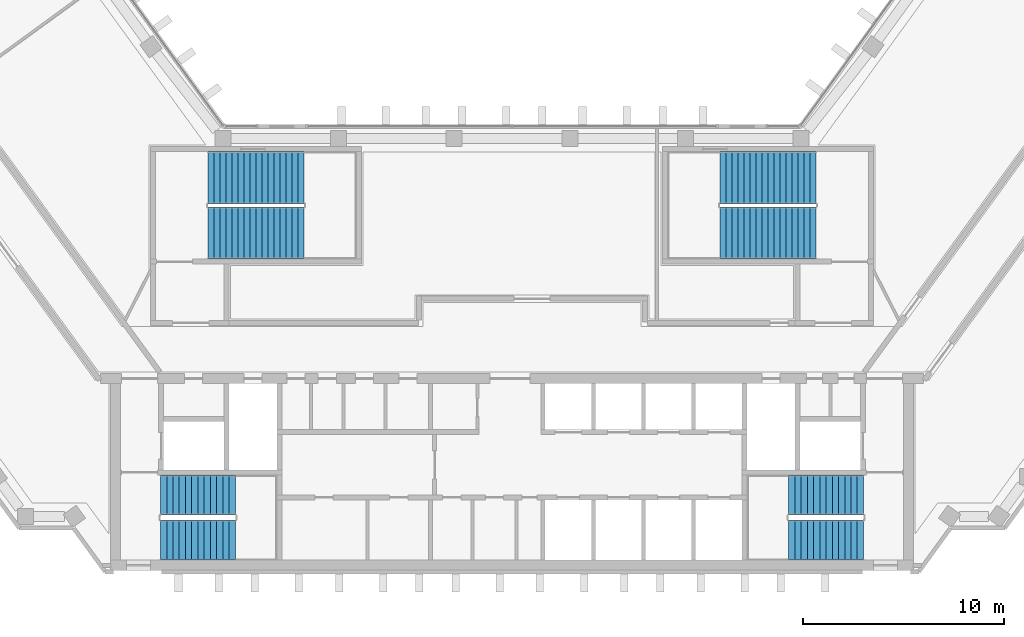
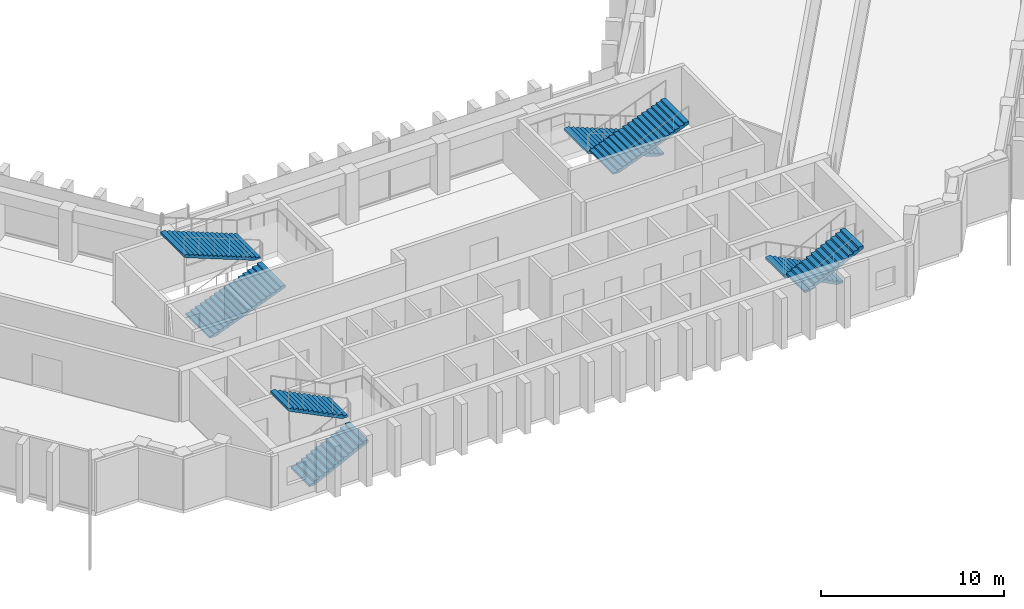
# One storey, part 11 of 13: 8 stair flights, 4 elements without a shape of their own.
"""IFC4 building model written with IfcOpenShell, lengths in metres."""

from ifc_helpers import new_model, si_unit, direction, frame, origin, place, context, subcontext, project, spatial, polyline, outline, extrude, material, type_object, element, aggregate, save


model = new_model("IFC4")

# Units and contexts
model_context = context("Model", 3, precision=1e-05, world=origin(), true_north=direction((0.0, 1.0)))
body_context = subcontext(model_context, "Body", "Model", "MODEL_VIEW")
ifc_project = project(units=[si_unit("LENGTHUNIT", "METRE"), si_unit("AREAUNIT", "SQUARE_METRE"), si_unit("VOLUMEUNIT", "CUBIC_METRE"), si_unit("PLANEANGLEUNIT", "RADIAN"), si_unit("MASSUNIT", "GRAM", prefix="KILO")], contexts=[model_context])

# Site, building, storey
site_placement = place(None, origin())
site = spatial("IfcSite", under=ifc_project, at=site_placement, CompositionType="ELEMENT")
building_placement = place(site_placement, origin())
building = spatial("IfcBuilding", under=site, at=building_placement, Name="Quipu Civic Tower", CompositionType="ELEMENT")
storey_placement = place(building_placement, frame((0.0, 0.0, 184.0)))
storey = spatial("IfcBuildingStorey", under=building, at=storey_placement, Name="L43", CompositionType="ELEMENT", Elevation=184.0)

# Stair, stair flights
ifc_material_1 = material(Name="Concrete C40/50", Category="concrete")
stair_type_1 = type_object("IfcStairType", Name="Half turn stair 2000", PredefinedType="HALF_TURN_STAIR", material=ifc_material_1)
stair_1_placement = place(storey_placement, origin())
stair_1 = element("IfcStair", 1, at=stair_1_placement, inside=storey, type_object=stair_type_1, Name="Exit stair 1", PredefinedType="HALF_TURN_STAIR")
ifc_material_2 = material(Name="Concrete C40/50", Category="concrete")
stair_flight_type_1 = type_object("IfcStairFlightType", Name="Stair flight 2000", PredefinedType="STRAIGHT", material=ifc_material_2)
stair_flight_1_placement = place(storey_placement, frame((-17.5, -9.5, 0.0), z_axis=(0.0, 0.0, 1.0), x_axis=(1.0, 0.0, 0.0)))
stair_flight_1 = element("IfcStairFlight", 2, at=stair_flight_1_placement, type_object=stair_flight_type_1, Name="ST-1 flight 1", NumberOfRisers=13, NumberOfTreads=12, PredefinedType="STRAIGHT", RiserHeight=0.153846154, TreadLength=0.31, context=body_context, shape_type="SweptSolid", body=[
    extrude(outline(polyline([(0.0, 0.0), (0.0, 0.15380859375), (0.31005859375, 0.15380859375), (0.31005859375, 0.3076171875), (0.6201171875, 0.3076171875), (0.6201171875, 0.46142578125), (0.929931640625, 0.46142578125), (0.929931640625, 0.615478515625), (1.239990234375, 0.615478515625), (1.239990234375, 0.769287109375), (1.550048828125, 0.769287109375), (1.550048828125, 0.923095703125), (1.860107421875, 0.923095703125), (1.860107421875, 1.076904296875), (2.169921875, 1.076904296875), (2.169921875, 1.230712890625), (2.47998046875, 1.230712890625), (2.47998046875, 1.384521484375), (2.7900390625, 1.384521484375), (2.7900390625, 1.53857421875), (3.10009765625, 1.53857421875), (3.10009765625, 1.6923828125), (3.409912109375, 1.6923828125), (3.409912109375, 1.84619140625), (3.719970703125, 1.84619140625), (3.719970703125, 2.0), (3.719970703125, 1.6787109375), (0.337158203125, 0.0), (0.0, 0.0)])), frame((0.0, 1.0, 0.0), z_axis=(0.0, -1.0, 0.0), x_axis=(1.0, 0.0, 0.0)), (0.0, 0.0, 1.0), 2.0),
])
stair_flight_2_placement = place(storey_placement, frame((-13.780029296875, -7.25, 2.0), z_axis=(0.0, 0.0, 1.0), x_axis=(-1.0, 0.0, 0.0)))
stair_flight_2 = element("IfcStairFlight", 3, at=stair_flight_2_placement, type_object=stair_flight_type_1, Name="ST-1 flight 2", NumberOfRisers=13, NumberOfTreads=12, PredefinedType="STRAIGHT", RiserHeight=0.153846154, TreadLength=0.31, context=body_context, shape_type="SweptSolid", body=[
    extrude(outline(polyline([(0.0, 0.0), (0.0, 0.15380859375), (0.31005859375, 0.15380859375), (0.31005859375, 0.3076171875), (0.6201171875, 0.3076171875), (0.6201171875, 0.46142578125), (0.929931640625, 0.46142578125), (0.929931640625, 0.615478515625), (1.239990234375, 0.615478515625), (1.239990234375, 0.769287109375), (1.550048828125, 0.769287109375), (1.550048828125, 0.923095703125), (1.860107421875, 0.923095703125), (1.860107421875, 1.076904296875), (2.169921875, 1.076904296875), (2.169921875, 1.230712890625), (2.47998046875, 1.230712890625), (2.47998046875, 1.384521484375), (2.7900390625, 1.384521484375), (2.7900390625, 1.53857421875), (3.10009765625, 1.53857421875), (3.10009765625, 1.6923828125), (3.409912109375, 1.6923828125), (3.409912109375, 1.84619140625), (3.719970703125, 1.84619140625), (3.719970703125, 2.0), (3.719970703125, 1.6787109375), (0.337158203125, 0.0), (0.0, 0.0)])), frame((0.0, 1.0, 0.0), z_axis=(0.0, -1.0, 0.0), x_axis=(1.0, 0.0, 0.0)), (0.0, 0.0, 1.0), 2.0),
])
aggregate(stair_1, [stair_flight_1, stair_flight_2])

stair_2_placement = place(storey_placement, origin())
stair_2 = element("IfcStair", 4, at=stair_2_placement, inside=storey, type_object=stair_type_1, Name="Exit stair 2", PredefinedType="HALF_TURN_STAIR")
stair_flight_3_placement = place(storey_placement, frame((17.5, -7.25, 0.0), z_axis=(0.0, 0.0, 1.0), x_axis=(-1.0, 0.0, 0.0)))
stair_flight_3 = element("IfcStairFlight", 5, at=stair_flight_3_placement, type_object=stair_flight_type_1, Name="ST-2 flight 1", NumberOfRisers=13, NumberOfTreads=12, PredefinedType="STRAIGHT", RiserHeight=0.153846154, TreadLength=0.31, context=body_context, shape_type="SweptSolid", body=[
    extrude(outline(polyline([(0.0, 0.0), (0.0, 0.15380859375), (0.31005859375, 0.15380859375), (0.31005859375, 0.3076171875), (0.6201171875, 0.3076171875), (0.6201171875, 0.46142578125), (0.929931640625, 0.46142578125), (0.929931640625, 0.615478515625), (1.239990234375, 0.615478515625), (1.239990234375, 0.769287109375), (1.550048828125, 0.769287109375), (1.550048828125, 0.923095703125), (1.860107421875, 0.923095703125), (1.860107421875, 1.076904296875), (2.169921875, 1.076904296875), (2.169921875, 1.230712890625), (2.47998046875, 1.230712890625), (2.47998046875, 1.384521484375), (2.7900390625, 1.384521484375), (2.7900390625, 1.53857421875), (3.10009765625, 1.53857421875), (3.10009765625, 1.6923828125), (3.409912109375, 1.6923828125), (3.409912109375, 1.84619140625), (3.719970703125, 1.84619140625), (3.719970703125, 2.0), (3.719970703125, 1.6787109375), (0.337158203125, 0.0), (0.0, 0.0)])), frame((0.0, 1.0, 0.0), z_axis=(0.0, -1.0, 0.0), x_axis=(1.0, 0.0, 0.0)), (0.0, 0.0, 1.0), 2.0),
])
stair_flight_4_placement = place(storey_placement, frame((13.780029296875, -9.5, 2.0), z_axis=(0.0, 0.0, 1.0), x_axis=(1.0, 0.0, 0.0)))
stair_flight_4 = element("IfcStairFlight", 6, at=stair_flight_4_placement, type_object=stair_flight_type_1, Name="ST-2 flight 2", NumberOfRisers=13, NumberOfTreads=12, PredefinedType="STRAIGHT", RiserHeight=0.153846154, TreadLength=0.31, context=body_context, shape_type="SweptSolid", body=[
    extrude(outline(polyline([(0.0, 0.0), (0.0, 0.15380859375), (0.31005859375, 0.15380859375), (0.31005859375, 0.3076171875), (0.6201171875, 0.3076171875), (0.6201171875, 0.46142578125), (0.929931640625, 0.46142578125), (0.929931640625, 0.615478515625), (1.239990234375, 0.615478515625), (1.239990234375, 0.769287109375), (1.550048828125, 0.769287109375), (1.550048828125, 0.923095703125), (1.860107421875, 0.923095703125), (1.860107421875, 1.076904296875), (2.169921875, 1.076904296875), (2.169921875, 1.230712890625), (2.47998046875, 1.230712890625), (2.47998046875, 1.384521484375), (2.7900390625, 1.384521484375), (2.7900390625, 1.53857421875), (3.10009765625, 1.53857421875), (3.10009765625, 1.6923828125), (3.409912109375, 1.6923828125), (3.409912109375, 1.84619140625), (3.719970703125, 1.84619140625), (3.719970703125, 2.0), (3.719970703125, 1.6787109375), (0.337158203125, 0.0), (0.0, 0.0)])), frame((0.0, 1.0, 0.0), z_axis=(0.0, -1.0, 0.0), x_axis=(1.0, 0.0, 0.0)), (0.0, 0.0, 1.0), 2.0),
])
aggregate(stair_2, [stair_flight_3, stair_flight_4])

ifc_material_3 = material(Name="Concrete C40/50", Category="concrete")
stair_type_2 = type_object("IfcStairType", Name="Half turn stair 2600", PredefinedType="HALF_TURN_STAIR", material=ifc_material_3)
stair_3_placement = place(storey_placement, origin())
stair_3 = element("IfcStair", 7, at=stair_3_placement, inside=storey, type_object=stair_type_2, Name="Exit stair 3", PredefinedType="HALF_TURN_STAIR")
ifc_material_4 = material(Name="Concrete C40/50", Category="concrete")
stair_flight_type_2 = type_object("IfcStairFlightType", Name="Stair flight 2600", PredefinedType="STRAIGHT", material=ifc_material_4)
stair_flight_5_placement = place(storey_placement, frame((-15.14990234375, 5.800048828125, 0.0), z_axis=(0.0, 0.0, 1.0), x_axis=(1.0, 0.0, 0.0)))
stair_flight_5 = element("IfcStairFlight", 8, at=stair_flight_5_placement, type_object=stair_flight_type_2, Name="ST-3 flight 1", NumberOfRisers=17, NumberOfTreads=16, PredefinedType="STRAIGHT", RiserHeight=0.117647059, TreadLength=0.3, context=body_context, shape_type="SweptSolid", body=[
    extrude(outline(polyline([(0.0, 0.0), (0.0, 0.11767578125), (0.300048828125, 0.11767578125), (0.300048828125, 0.2353515625), (0.60009765625, 0.2353515625), (0.60009765625, 0.35302734375), (0.89990234375, 0.35302734375), (0.89990234375, 0.470703125), (1.199951171875, 0.470703125), (1.199951171875, 0.588134765625), (1.5, 0.588134765625), (1.5, 0.705810546875), (1.800048828125, 0.705810546875), (1.800048828125, 0.823486328125), (2.10009765625, 0.823486328125), (2.10009765625, 0.941162109375), (2.39990234375, 0.941162109375), (2.39990234375, 1.058837890625), (2.699951171875, 1.058837890625), (2.699951171875, 1.176513671875), (3.0, 1.176513671875), (3.0, 1.294189453125), (3.300048828125, 1.294189453125), (3.300048828125, 1.411865234375), (3.60009765625, 1.411865234375), (3.60009765625, 1.529296875), (3.89990234375, 1.529296875), (3.89990234375, 1.64697265625), (4.199951171875, 1.64697265625), (4.199951171875, 1.7646484375), (4.5, 1.7646484375), (4.5, 1.88232421875), (4.800048828125, 1.88232421875), (4.800048828125, 2.0), (4.800048828125, 1.721435546875), (0.41064453125, 0.0), (0.0, 0.0)])), frame((0.0, 1.300048828125, 0.0), z_axis=(0.0, -1.0, 0.0), x_axis=(1.0, 0.0, 0.0)), (0.0, 0.0, 1.0), 2.60009765625),
])
stair_flight_6_placement = place(storey_placement, frame((-10.35009765625, 8.550048828125, 2.0), z_axis=(0.0, 0.0, 1.0), x_axis=(-1.0, 0.0, 0.0)))
stair_flight_6 = element("IfcStairFlight", 9, at=stair_flight_6_placement, type_object=stair_flight_type_2, Name="ST-3 flight 2", NumberOfRisers=17, NumberOfTreads=16, PredefinedType="STRAIGHT", RiserHeight=0.117647059, TreadLength=0.3, context=body_context, shape_type="SweptSolid", body=[
    extrude(outline(polyline([(0.0, 0.0), (0.0, 0.11767578125), (0.300048828125, 0.11767578125), (0.300048828125, 0.2353515625), (0.60009765625, 0.2353515625), (0.60009765625, 0.35302734375), (0.89990234375, 0.35302734375), (0.89990234375, 0.470703125), (1.199951171875, 0.470703125), (1.199951171875, 0.588134765625), (1.5, 0.588134765625), (1.5, 0.705810546875), (1.800048828125, 0.705810546875), (1.800048828125, 0.823486328125), (2.10009765625, 0.823486328125), (2.10009765625, 0.941162109375), (2.39990234375, 0.941162109375), (2.39990234375, 1.058837890625), (2.699951171875, 1.058837890625), (2.699951171875, 1.176513671875), (3.0, 1.176513671875), (3.0, 1.294189453125), (3.300048828125, 1.294189453125), (3.300048828125, 1.411865234375), (3.60009765625, 1.411865234375), (3.60009765625, 1.529296875), (3.89990234375, 1.529296875), (3.89990234375, 1.64697265625), (4.199951171875, 1.64697265625), (4.199951171875, 1.7646484375), (4.5, 1.7646484375), (4.5, 1.88232421875), (4.800048828125, 1.88232421875), (4.800048828125, 2.0), (4.800048828125, 1.721435546875), (0.41064453125, 0.0), (0.0, 0.0)])), frame((0.0, 1.300048828125, 0.0), z_axis=(0.0, -1.0, 0.0), x_axis=(1.0, 0.0, 0.0)), (0.0, 0.0, 1.0), 2.60009765625),
])
aggregate(stair_3, [stair_flight_5, stair_flight_6])

stair_4_placement = place(storey_placement, origin())
stair_4 = element("IfcStair", 10, at=stair_4_placement, inside=storey, type_object=stair_type_2, Name="Exit stair 4", PredefinedType="HALF_TURN_STAIR")
stair_flight_7_placement = place(storey_placement, frame((15.14990234375, 8.550048828125, 0.0), z_axis=(0.0, 0.0, 1.0), x_axis=(-1.0, 0.0, 0.0)))
stair_flight_7 = element("IfcStairFlight", 11, at=stair_flight_7_placement, type_object=stair_flight_type_2, Name="ST-4 flight 1", NumberOfRisers=17, NumberOfTreads=16, PredefinedType="STRAIGHT", RiserHeight=0.117647059, TreadLength=0.3, context=body_context, shape_type="SweptSolid", body=[
    extrude(outline(polyline([(0.0, 0.0), (0.0, 0.11767578125), (0.300048828125, 0.11767578125), (0.300048828125, 0.2353515625), (0.60009765625, 0.2353515625), (0.60009765625, 0.35302734375), (0.89990234375, 0.35302734375), (0.89990234375, 0.470703125), (1.199951171875, 0.470703125), (1.199951171875, 0.588134765625), (1.5, 0.588134765625), (1.5, 0.705810546875), (1.800048828125, 0.705810546875), (1.800048828125, 0.823486328125), (2.10009765625, 0.823486328125), (2.10009765625, 0.941162109375), (2.39990234375, 0.941162109375), (2.39990234375, 1.058837890625), (2.699951171875, 1.058837890625), (2.699951171875, 1.176513671875), (3.0, 1.176513671875), (3.0, 1.294189453125), (3.300048828125, 1.294189453125), (3.300048828125, 1.411865234375), (3.60009765625, 1.411865234375), (3.60009765625, 1.529296875), (3.89990234375, 1.529296875), (3.89990234375, 1.64697265625), (4.199951171875, 1.64697265625), (4.199951171875, 1.7646484375), (4.5, 1.7646484375), (4.5, 1.88232421875), (4.800048828125, 1.88232421875), (4.800048828125, 2.0), (4.800048828125, 1.721435546875), (0.41064453125, 0.0), (0.0, 0.0)])), frame((0.0, 1.300048828125, 0.0), z_axis=(0.0, -1.0, 0.0), x_axis=(1.0, 0.0, 0.0)), (0.0, 0.0, 1.0), 2.60009765625),
])
stair_flight_8_placement = place(storey_placement, frame((10.35009765625, 5.800048828125, 2.0), z_axis=(0.0, 0.0, 1.0), x_axis=(1.0, 0.0, 0.0)))
stair_flight_8 = element("IfcStairFlight", 12, at=stair_flight_8_placement, type_object=stair_flight_type_2, Name="ST-4 flight 2", NumberOfRisers=17, NumberOfTreads=16, PredefinedType="STRAIGHT", RiserHeight=0.117647059, TreadLength=0.3, context=body_context, shape_type="SweptSolid", body=[
    extrude(outline(polyline([(0.0, 0.0), (0.0, 0.11767578125), (0.300048828125, 0.11767578125), (0.300048828125, 0.2353515625), (0.60009765625, 0.2353515625), (0.60009765625, 0.35302734375), (0.89990234375, 0.35302734375), (0.89990234375, 0.470703125), (1.199951171875, 0.470703125), (1.199951171875, 0.588134765625), (1.5, 0.588134765625), (1.5, 0.705810546875), (1.800048828125, 0.705810546875), (1.800048828125, 0.823486328125), (2.10009765625, 0.823486328125), (2.10009765625, 0.941162109375), (2.39990234375, 0.941162109375), (2.39990234375, 1.058837890625), (2.699951171875, 1.058837890625), (2.699951171875, 1.176513671875), (3.0, 1.176513671875), (3.0, 1.294189453125), (3.300048828125, 1.294189453125), (3.300048828125, 1.411865234375), (3.60009765625, 1.411865234375), (3.60009765625, 1.529296875), (3.89990234375, 1.529296875), (3.89990234375, 1.64697265625), (4.199951171875, 1.64697265625), (4.199951171875, 1.7646484375), (4.5, 1.7646484375), (4.5, 1.88232421875), (4.800048828125, 1.88232421875), (4.800048828125, 2.0), (4.800048828125, 1.721435546875), (0.41064453125, 0.0), (0.0, 0.0)])), frame((0.0, 1.300048828125, 0.0), z_axis=(0.0, -1.0, 0.0), x_axis=(1.0, 0.0, 0.0)), (0.0, 0.0, 1.0), 2.60009765625),
])
aggregate(stair_4, [stair_flight_7, stair_flight_8])

save(model, "model.ifc")
